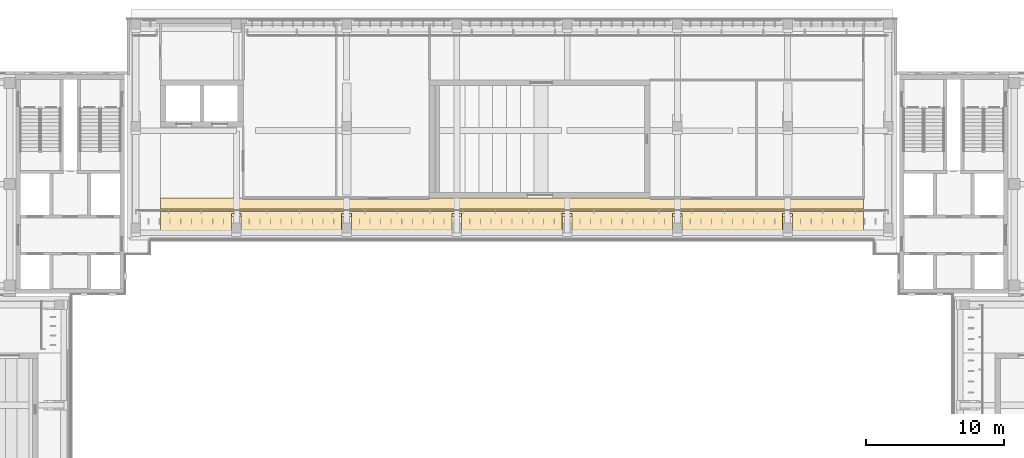
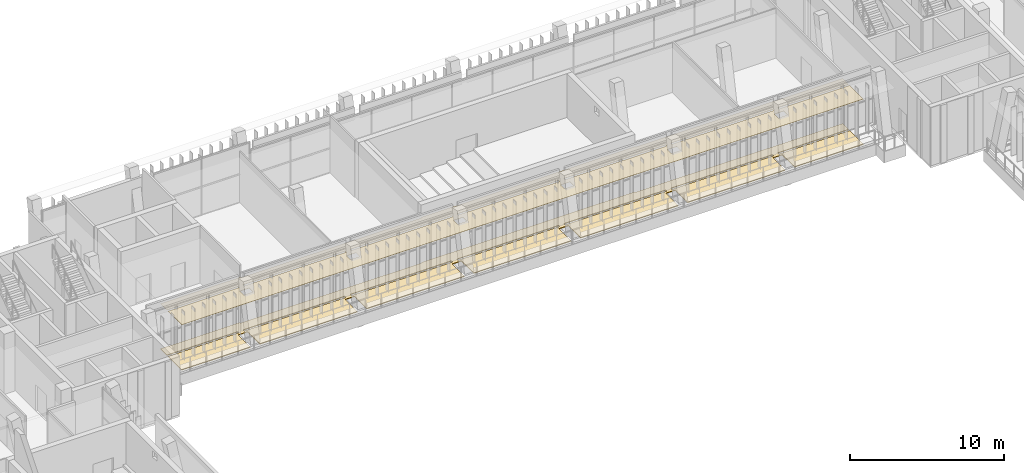
# One storey, part 65 of 74: 2 coverings.
"""IFC4 building model written with IfcOpenShell, lengths in metres."""

import ifcopenshell
import ifcopenshell.guid

model = None  # the IFC model being written
_history = None  # IfcOwnerHistory: only IFC2X3 demands one
_inside = {}  # id of a spatial element -> (the spatial element, [elements in it])
_under = {}  # id of a project, library or spatial element -> (it, [spatial elements below it])
_declared = {}  # id of a project -> (the project, [libraries it declares])
_typed = {}  # id of a type object -> (the type object, [elements of that type])
_made_of = {}  # id of a material, layer set ... -> (it, [elements and type objects made of it])


def new_model(schema):
    """Start an empty IFC model of exactly this schema.

    Asked for "IFC4X3", IfcOpenShell would pick the latest addendum, in which some entities
    have other attributes; the version numbers below select the first issue.
    IFC2X3 requires an IfcOwnerHistory on every rooted entity: one is made here for all.
    """
    global model, _history
    if schema == "IFC4X3":
        model = ifcopenshell.file(schema_version=(4, 3, 0, 0))
    else:
        model = ifcopenshell.file(schema=schema)
    _inside.clear()
    _under.clear()
    _declared.clear()
    _typed.clear()
    _made_of.clear()
    _history = None
    if model.schema == "IFC2X3":
        org = make("IfcOrganization", Name="unknown")
        user = make(
            "IfcPersonAndOrganization",
            ThePerson=make("IfcPerson", FamilyName="unknown"),
            TheOrganization=org,
        )
        app = make(
            "IfcApplication",
            ApplicationDeveloper=org,
            Version="unknown",
            ApplicationFullName="unknown",
            ApplicationIdentifier="unknown",
        )
        _history = make(
            "IfcOwnerHistory",
            OwningUser=user,
            OwningApplication=app,
            ChangeAction="ADDED",
            CreationDate=0,
        )
    return model


def make(cls, **values):
    """One entity of the class cls with the attributes given. An attribute that is None is left unset."""
    return model.create_entity(
        cls, **{name: value for name, value in values.items() if value is not None}
    )


def rooted(cls, **values):
    """An entity with a GlobalId (a new one), such as an element, a storey or a relation."""
    return make(cls, GlobalId=ifcopenshell.guid.new(), OwnerHistory=_history, **values)


def si_unit(unit_type, name, prefix=None):
    """IfcSIUnit, for example si_unit("LENGTHUNIT", "METRE", prefix="MILLI")."""
    return make("IfcSIUnit", UnitType=unit_type, Prefix=prefix, Name=name)


def assignment(units):
    """IfcUnitAssignment: the units of a project."""
    return None if units is None else make("IfcUnitAssignment", Units=units)


def point(xyz):
    """IfcCartesianPoint."""
    return None if xyz is None else make("IfcCartesianPoint", Coordinates=xyz)


def direction(xyz):
    """IfcDirection."""
    return None if xyz is None else make("IfcDirection", DirectionRatios=xyz)


def frame(location, z_axis=None, x_axis=None):
    """IfcAxis2Placement3D, a coordinate frame: its origin and axes. An axis left out is left unset."""
    return make(
        "IfcAxis2Placement3D",
        Location=point(location),
        Axis=direction(z_axis),
        RefDirection=direction(x_axis),
    )


def origin():
    """The frame at (0, 0, 0) with its axes left unset."""
    return frame((0.0, 0.0, 0.0))


def place(relative_to, where):
    """IfcLocalPlacement: puts the frame where relative to a parent placement (None: the world)."""
    return make(
        "IfcLocalPlacement", PlacementRelTo=relative_to, RelativePlacement=where
    )


def context(
    kind, dimensions, precision=None, world=None, true_north=None, identifier=None
):
    """IfcGeometricRepresentationContext, for example the 3D "Model" context."""
    return make(
        "IfcGeometricRepresentationContext",
        ContextIdentifier=identifier,
        ContextType=kind,
        CoordinateSpaceDimension=dimensions,
        Precision=precision,
        WorldCoordinateSystem=world,
        TrueNorth=true_north,
    )


def subcontext(parent, identifier, kind, view, scale=None):
    """IfcGeometricRepresentationSubContext, for example "Body" below "Model"."""
    return make(
        "IfcGeometricRepresentationSubContext",
        ContextIdentifier=identifier,
        ContextType=kind,
        ParentContext=parent,
        TargetScale=scale,
        TargetView=view,
    )


def project(units=None, contexts=None):
    """IfcProject with its units and contexts."""
    return rooted(
        "IfcProject",
        Name="project",
        RepresentationContexts=contexts,
        UnitsInContext=assignment(units),
    )


def spatial(cls, under=None, at=None, **own):
    """A site, building, storey or space (cls), placed at a placement, below another one or the project."""
    s = rooted(cls, ObjectPlacement=at, **own)
    if under is not None:
        _under.setdefault(under.id(), (under, []))[1].append(s)
    return s


def polyline(points):
    """IfcPolyline through the points."""
    return make("IfcPolyline", Points=[point(p) for p in points])


def outline(outer, holes=None, kind="AREA"):
    """IfcArbitraryClosedProfileDef: a profile drawn as a closed curve; with holes, ...WithVoids."""
    if holes is None:
        return make("IfcArbitraryClosedProfileDef", ProfileType=kind, OuterCurve=outer)
    return make(
        "IfcArbitraryProfileDefWithVoids",
        ProfileType=kind,
        OuterCurve=outer,
        InnerCurves=holes,
    )


def extrude(swept, where, along, depth):
    """IfcExtrudedAreaSolid: the profile swept, set in the frame where, extruded along a direction by depth."""
    return make(
        "IfcExtrudedAreaSolid",
        SweptArea=swept,
        Position=where,
        ExtrudedDirection=direction(along),
        Depth=depth,
    )


def shape(context_of_items, identifier, shape_type, items):
    """IfcShapeRepresentation: the items that make up one representation, for example the "Body"."""
    return make(
        "IfcShapeRepresentation",
        ContextOfItems=context_of_items,
        RepresentationIdentifier=identifier,
        RepresentationType=shape_type,
        Items=items,
    )


def material(Name=None, Category=None):
    """IfcMaterial."""
    return make("IfcMaterial", Name=Name, Category=Category)


def layer(
    of_material, thickness, ventilated=None, Name=None, Category=None, Priority=None
):
    """IfcMaterialLayer: one layer of a wall or slab, of a material (None: an air gap)."""
    return make(
        "IfcMaterialLayer",
        Material=of_material,
        LayerThickness=thickness,
        IsVentilated=ventilated,
        Name=Name,
        Category=Category,
        Priority=Priority,
    )


def layer_set(layers, Name=None):
    """IfcMaterialLayerSet."""
    return make("IfcMaterialLayerSet", MaterialLayers=layers, LayerSetName=Name)


def made_of(thing, what):
    """Note that an element or type object is made of a material, layer set ...; save() writes the relation."""
    if what is not None:
        _made_of.setdefault(what.id(), (what, []))[1].append(thing)
    return thing


def type_object(cls, material=None, **own):
    """A type object (cls), such as IfcWallType, which elements share."""
    return made_of(rooted(cls, **own), material)


def element(
    cls,
    number,
    at=None,
    inside=None,
    cuts=None,
    type_object=None,
    material=None,
    context=None,
    identifier="Body",
    shape_type=None,
    held_by="IfcProductDefinitionShape",
    body=None,
    shapes=None,
    **own,
):
    """One element of the class cls, such as IfcWall. Its Tag is "e" and its number.

    at: its placement. inside: the storey or other place that contains it. cuts: it is an
    opening in that element (IfcRelVoidsElement). A single representation is given by context,
    identifier, shape_type and body (its items); several are given by shapes. held_by: the class
    of the entity that holds the representations. save() writes the other relations.
    """
    e = rooted(cls, Tag="e%d" % number, ObjectPlacement=at, **own)
    if body is not None:
        shapes = [shape(context, identifier, shape_type, body)]
    if shapes is not None:
        e.Representation = make(held_by, Representations=shapes)
    if inside is not None:
        _inside.setdefault(inside.id(), (inside, []))[1].append(e)
    if cuts is not None:
        rooted(
            "IfcRelVoidsElement", RelatingBuildingElement=cuts, RelatedOpeningElement=e
        )
    if type_object is not None:
        _typed.setdefault(type_object.id(), (type_object, []))[1].append(e)
    return made_of(e, material)


def aggregate(whole, parts):
    """IfcRelAggregates: a whole, such as a stair, and the parts it consists of."""
    return rooted("IfcRelAggregates", RelatingObject=whole, RelatedObjects=parts)


def save(model, path):
    """Write the relations noted so far, then the file.

    IfcRelAggregates (storeys below a building ...), IfcRelContainedInSpatialStructure (elements
    in a storey), IfcRelDefinesByType, IfcRelAssociatesMaterial and IfcRelDeclares: one each for
    every whole, place, type object, material and project.
    """
    for whole, parts in _under.values():
        aggregate(whole, parts)
    for where, things in _inside.values():
        rooted(
            "IfcRelContainedInSpatialStructure",
            RelatedElements=things,
            RelatingStructure=where,
        )
    for kind, things in _typed.values():
        rooted("IfcRelDefinesByType", RelatedObjects=things, RelatingType=kind)
    for what, things in _made_of.values():
        rooted("IfcRelAssociatesMaterial", RelatedObjects=things, RelatingMaterial=what)
    for by, libraries in _declared.values():
        rooted("IfcRelDeclares", RelatingContext=by, RelatedDefinitions=libraries)
    model.write(path)


model = new_model("IFC4")

# Units and contexts
model_context = context("Model", 3, precision=1e-05, world=origin(), true_north=direction((0.0, 1.0)))
body_context = subcontext(model_context, "Body", "Model", "MODEL_VIEW")
ifc_project = project(units=[si_unit("LENGTHUNIT", "METRE"), si_unit("AREAUNIT", "SQUARE_METRE"), si_unit("VOLUMEUNIT", "CUBIC_METRE"), si_unit("PLANEANGLEUNIT", "RADIAN"), si_unit("MASSUNIT", "GRAM", prefix="KILO")], contexts=[model_context])

# Site, building, storey
site_placement = place(None, origin())
site = spatial("IfcSite", under=ifc_project, at=site_placement, CompositionType="ELEMENT")
building_placement = place(site_placement, origin())
building = spatial("IfcBuilding", under=site, at=building_placement, Name="Lantern Court Media Centre", CompositionType="ELEMENT")
storey_placement = place(building_placement, frame((0.0, 0.0, 19.199951171875)))
storey = spatial("IfcBuildingStorey", under=building, at=storey_placement, Name="L04", CompositionType="ELEMENT", Elevation=19.199951171875)

# Coverings
ifc_material_1 = material(Name="Mineral fibre ceiling tile")
ifc_layer_1 = layer(ifc_material_1, 0.02001953125)
ifc_layer_set_1 = layer_set([ifc_layer_1], Name="Mineral fibre ceiling tile")
covering_type_1 = type_object("IfcCoveringType", Name="Suspended ceiling tile", PredefinedType="CEILING", material=ifc_layer_set_1)
covering_1_placement = place(storey_placement, frame((0.0, 0.0, 3.60009765625)))
element("IfcCovering", 1, at=covering_1_placement, inside=storey, type_object=covering_type_1, Name="Corridor ceiling", PredefinedType="CEILING", context=body_context, shape_type="SweptSolid", body=[
    extrude(outline(polyline([(77.5, 100.300048828125), (26.5, 100.300048828125), (26.5, 102.074462890625), (31.800537109375, 102.074951171875), (31.800048828125, 102.2255859375), (26.5, 102.2255859375), (26.5, 103.050048828125), (32.43701171875, 103.050048828125), (32.4375, 102.987060546875), (46.0, 102.987060546875), (46.00048828125, 103.049560546875), (61.99951171875, 103.049560546875), (62.0, 102.987060546875), (77.5, 102.987060546875), (77.5, 102.2255859375), (72.199462890625, 102.22509765625), (72.199951171875, 102.074462890625), (77.5, 102.074462890625), (77.5, 100.300048828125)]), holes=[polyline([(72.35009765625, 101.20361328125), (72.350341796875, 101.70263671875), (71.649658203125, 101.702392578125), (71.649658203125, 101.203857421875), (72.35009765625, 101.20361328125)]), polyline([(64.199462890625, 102.074951171875), (71.800048828125, 102.074462890625), (71.800537109375, 102.22509765625), (64.199951171875, 102.2255859375), (64.199462890625, 102.074951171875)]), polyline([(64.35009765625, 101.20361328125), (64.350341796875, 101.70263671875), (63.649658203125, 101.702392578125), (63.649658203125, 101.203857421875), (64.35009765625, 101.20361328125)]), polyline([(56.199462890625, 102.074951171875), (63.800048828125, 102.074462890625), (63.800537109375, 102.22509765625), (56.199951171875, 102.2255859375), (56.199462890625, 102.074951171875)]), polyline([(56.3505859375, 101.7021484375), (55.649658203125, 101.70263671875), (55.649658203125, 101.203857421875), (56.350341796875, 101.203857421875), (56.3505859375, 101.7021484375)]), polyline([(48.199951171875, 102.2255859375), (48.199951171875, 102.074462890625), (55.800537109375, 102.074951171875), (55.800048828125, 102.2255859375), (48.199951171875, 102.2255859375)]), polyline([(48.35009765625, 101.20361328125), (48.350341796875, 101.70263671875), (47.649658203125, 101.702392578125), (47.649658203125, 101.203857421875), (48.35009765625, 101.20361328125)]), polyline([(40.199951171875, 102.2255859375), (40.199951171875, 102.074462890625), (47.800537109375, 102.074951171875), (47.800048828125, 102.2255859375), (40.199951171875, 102.2255859375)]), polyline([(40.3505859375, 101.7021484375), (39.649658203125, 101.70263671875), (39.649658203125, 101.203857421875), (40.350341796875, 101.203857421875), (40.3505859375, 101.7021484375)]), polyline([(32.199462890625, 102.074951171875), (39.800048828125, 102.074462890625), (39.800537109375, 102.22509765625), (32.199951171875, 102.2255859375), (32.199462890625, 102.074951171875)]), polyline([(32.35009765625, 101.20361328125), (32.350341796875, 101.70263671875), (31.649658203125, 101.702392578125), (31.649658203125, 101.203857421875), (32.35009765625, 101.20361328125)])]), origin(), (0.0, 0.0, 1.0), 0.02001953125),
])
ifc_material_2 = material(Name="Terrazzo")
ifc_layer_2 = layer(ifc_material_2, 0.050048828125)
ifc_layer_set_2 = layer_set([ifc_layer_2], Name="Terrazzo")
covering_type_2 = type_object("IfcCoveringType", Name="Terrazzo floor finish", PredefinedType="FLOORING", material=ifc_layer_set_2)
covering_2_placement = place(storey_placement, origin())
element("IfcCovering", 2, at=covering_2_placement, inside=storey, type_object=covering_type_2, Name="Corridor floor finish", PredefinedType="FLOORING", context=body_context, shape_type="SweptSolid", body=[
    extrude(outline(polyline([(77.5, 100.300048828125), (72.35498046875, 100.300048828125), (72.35009765625, 101.9091796875), (71.645263671875, 101.906005859375), (71.64501953125, 100.300048828125), (64.35498046875, 100.300048828125), (64.35009765625, 101.9091796875), (63.645263671875, 101.906005859375), (63.64501953125, 100.300048828125), (56.35498046875, 100.300048828125), (56.35009765625, 101.9091796875), (55.645263671875, 101.906005859375), (55.64501953125, 100.300048828125), (48.35498046875, 100.300048828125), (48.35009765625, 101.9091796875), (47.645263671875, 101.906005859375), (47.64501953125, 100.300048828125), (40.35498046875, 100.300048828125), (40.35009765625, 101.9091796875), (39.645263671875, 101.906005859375), (39.64501953125, 100.300048828125), (32.35498046875, 100.300048828125), (32.35009765625, 101.9091796875), (31.645263671875, 101.906005859375), (31.64501953125, 100.300048828125), (26.5, 100.300048828125), (26.5, 102.070068359375), (31.804931640625, 102.074951171875), (31.800048828125, 102.22998046875), (26.5, 102.22998046875), (26.5, 103.050048828125), (32.4326171875, 103.050048828125), (32.4375, 102.982421875), (46.0, 102.982421875), (46.0048828125, 103.044921875), (61.9951171875, 103.044921875), (62.0, 102.982421875), (77.5, 102.982421875), (77.5, 102.22998046875), (72.195068359375, 102.22509765625), (72.199951171875, 102.070068359375), (77.5, 102.070068359375), (77.5, 100.300048828125)]), holes=[polyline([(64.195068359375, 102.074951171875), (71.800048828125, 102.070068359375), (71.804931640625, 102.22509765625), (64.199951171875, 102.22998046875), (64.195068359375, 102.074951171875)]), polyline([(56.195068359375, 102.074951171875), (63.800048828125, 102.070068359375), (63.804931640625, 102.22509765625), (56.199951171875, 102.22998046875), (56.195068359375, 102.074951171875)]), polyline([(48.199951171875, 102.22998046875), (48.199951171875, 102.070068359375), (55.804931640625, 102.074951171875), (55.800048828125, 102.22998046875), (48.199951171875, 102.22998046875)]), polyline([(40.199951171875, 102.22998046875), (40.199951171875, 102.070068359375), (47.804931640625, 102.074951171875), (47.800048828125, 102.22998046875), (40.199951171875, 102.22998046875)]), polyline([(32.195068359375, 102.074951171875), (39.800048828125, 102.070068359375), (39.804931640625, 102.22509765625), (32.199951171875, 102.22998046875), (32.195068359375, 102.074951171875)])]), origin(), (0.0, 0.0, 1.0), 0.050048828125),
])

save(model, "model.ifc")
